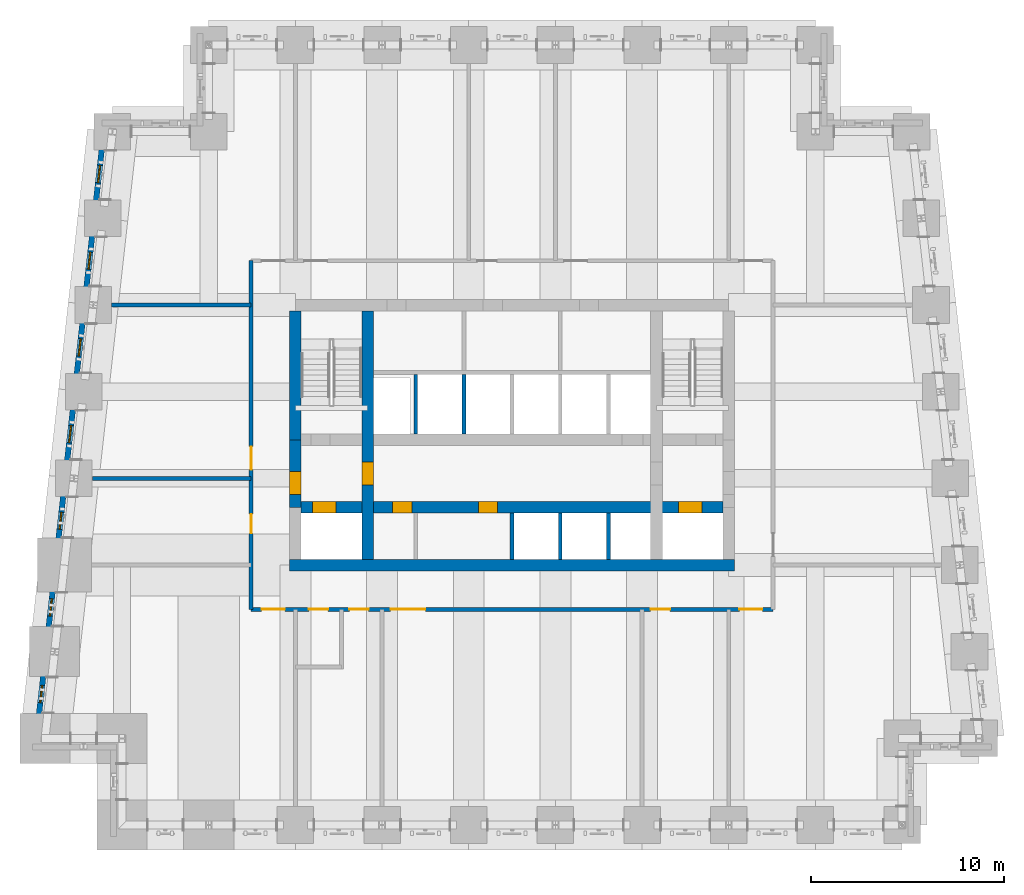
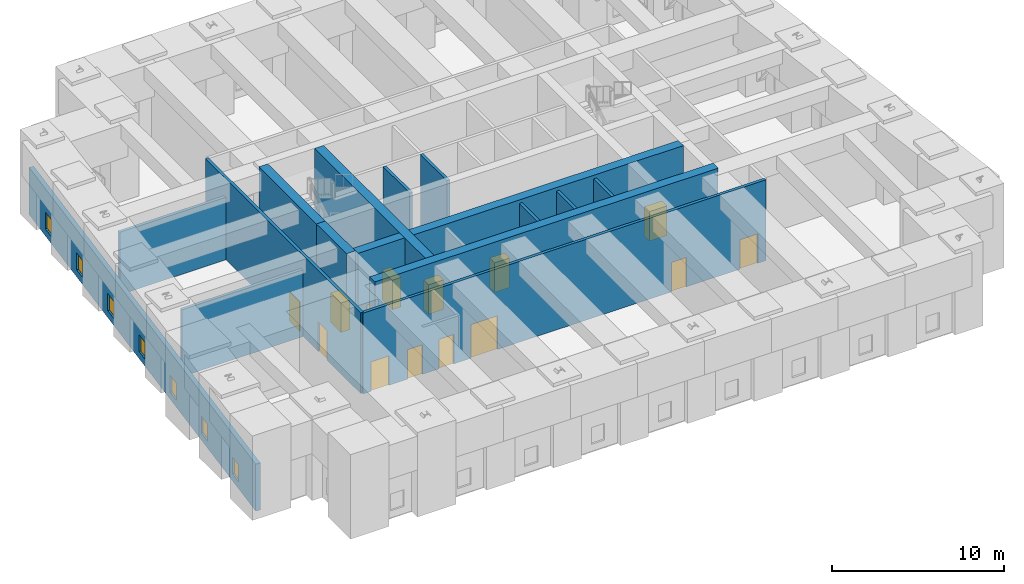
# One storey, part 3 of 17: 15 walls, 14 doors, 7 windows, 21 openings.
"""IFC4 building model written with IfcOpenShell, lengths in metres."""

from ifc_helpers import new_model, si_unit, direction, frame, frame_2d, origin, place, context, subcontext, project, spatial, rectangle, extrude, material, layer, layer_set, type_object, element, fill, save


model = new_model("IFC4")

# Units and contexts
model_context = context("Model", 3, precision=1e-05, world=origin(), true_north=direction((0.0, 1.0)))
body_context = subcontext(model_context, "Body", "Model", "MODEL_VIEW")
ifc_project = project(units=[si_unit("LENGTHUNIT", "METRE"), si_unit("AREAUNIT", "SQUARE_METRE"), si_unit("VOLUMEUNIT", "CUBIC_METRE"), si_unit("PLANEANGLEUNIT", "RADIAN"), si_unit("MASSUNIT", "GRAM", prefix="KILO")], contexts=[model_context])

# Site, building, storey
site_placement = place(None, origin())
site = spatial("IfcSite", under=ifc_project, at=site_placement, CompositionType="ELEMENT")
building_placement = place(site_placement, origin())
building = spatial("IfcBuilding", under=site, at=building_placement, Name="Kilele Tower Hotel", CompositionType="ELEMENT")
storey_placement = place(building_placement, frame((0.0, 0.0, 151.89990234375)))
storey = spatial("IfcBuildingStorey", under=building, at=storey_placement, Name="L39", CompositionType="ELEMENT", Elevation=151.89990234375)

# Wall
ifc_material_1 = material(Name="Concrete C60/75", Category="concrete")
ifc_layer_1 = layer(ifc_material_1, 0.60009765625)
ifc_layer_set_1 = layer_set([ifc_layer_1], Name="Concrete C60/75")
wall_type_1 = type_object("IfcWallType", Name="Core wall 600 C60/75", PredefinedType="SHEAR", material=ifc_layer_set_1)
wall_1_placement = place(storey_placement, frame((13.199951171875, 13.5, 0.0), z_axis=(0.0, 0.0, 1.0), x_axis=(1.0, 0.0, 0.0)))
element("IfcWall", 1, at=wall_1_placement, inside=storey, type_object=wall_type_1, Name="Core wall S L39", PredefinedType="SHEAR", context=body_context, shape_type="SweptSolid", body=[
    extrude(rectangle(XDim=23.10009765625, YDim=0.60009765625, at=frame_2d((11.550048828125, 0.0))), origin(), (0.0, 0.0, 1.0), 6.0),
])

# Wall, opening, door
wall_2_placement = place(storey_placement, frame((17.25, 13.800048828125, 0.0), z_axis=(0.0, 0.0, 1.0), x_axis=(0.0, 1.0, 0.0)))
wall_2 = element("IfcWall", 2, at=wall_2_placement, inside=storey, type_object=wall_type_1, Name="Core wall IW L39", PredefinedType="SHEAR", context=body_context, shape_type="SweptSolid", body=[
    extrude(rectangle(XDim=12.89990234375, YDim=0.60009765625, at=frame_2d((6.449951171875, 0.0))), origin(), (0.0, 0.0, 1.0), 6.0),
])
opening_1_placement = place(wall_2_placement, frame((3.85009765625, 0.0, 0.0)))
opening_1 = element("IfcOpeningElement", 3, at=opening_1_placement, cuts=wall_2, Name="Opening D4", PredefinedType="OPENING", context=body_context, shape_type="SweptSolid", body=[
    extrude(rectangle(XDim=1.199951171875, YDim=2.10009765625, at=frame_2d((0.60009765625, 1.050048828125))), frame((0.0, 0.31005859375, 0.0), z_axis=(0.0, -1.0, 0.0), x_axis=(1.0, 0.0, 0.0)), (0.0, 0.0, 1.0), 0.6201171875),
])
ifc_material_2 = material(Name="Timber door leaf in hardwood frame", Category="wood")
door_type_1 = type_object("IfcDoorType", Name="Firefighting lobby door 1200", OperationType="SINGLE_SWING_LEFT", PredefinedType="DOOR", material=ifc_material_2)
door_1_placement = place(opening_1_placement, origin())
door_1 = element("IfcDoor", 4, at=door_1_placement, inside=storey, type_object=door_type_1, Name="Lobby door L39", OperationType="SINGLE_SWING_LEFT", OverallHeight=2.10009765625, OverallWidth=1.199951171875, PredefinedType="DOOR", context=body_context, shape_type="SweptSolid", body=[
    extrude(rectangle(XDim=1.199951171875, YDim=2.10009765625, at=frame_2d((0.60009765625, 1.050048828125))), frame((0.0, 0.2998046875, 0.0), z_axis=(0.0, -1.0, 0.0), x_axis=(1.0, 0.0, 0.0)), (0.0, 0.0, 1.0), 0.599609375),
])
fill(opening_1, door_1)

# Wall, openings, doors
wall_3_placement = place(storey_placement, frame((13.800048828125, 16.5, 0.0), z_axis=(0.0, 0.0, 1.0), x_axis=(1.0, 0.0, 0.0)))
wall_3 = element("IfcWall", 5, at=wall_3_placement, inside=storey, type_object=wall_type_1, Name="Core wall LS L39", PredefinedType="SHEAR", context=body_context, shape_type="SweptSolid", body=[
    extrude(rectangle(XDim=21.89990234375, YDim=0.60009765625, at=frame_2d((10.949951171875, 0.0))), origin(), (0.0, 0.0, 1.0), 6.0),
])
opening_2_placement = place(wall_3_placement, frame((5.75, 0.0, 0.0), z_axis=(0.0, 0.0, 1.0), x_axis=(-1.0, 0.0, 0.0)))
opening_2 = element("IfcOpeningElement", 6, at=opening_2_placement, cuts=wall_3, Name="Opening D11", PredefinedType="OPENING", context=body_context, shape_type="SweptSolid", body=[
    extrude(rectangle(XDim=1.0, YDim=2.10009765625, at=frame_2d((0.5, 1.050048828125))), frame((0.0, 0.31005859375, 0.0), z_axis=(0.0, -1.0, 0.0), x_axis=(1.0, 0.0, 0.0)), (0.0, 0.0, 1.0), 0.6201171875),
])
opening_3_placement = place(wall_3_placement, frame((10.199951171875, 0.0, 0.0), z_axis=(0.0, 0.0, 1.0), x_axis=(-1.0, 0.0, 0.0)))
opening_3 = element("IfcOpeningElement", 7, at=opening_3_placement, cuts=wall_3, Name="Opening D11", PredefinedType="OPENING", context=body_context, shape_type="SweptSolid", body=[
    extrude(rectangle(XDim=1.0, YDim=2.10009765625, at=frame_2d((0.5, 1.050048828125))), frame((0.0, 0.31005859375, 0.0), z_axis=(0.0, -1.0, 0.0), x_axis=(1.0, 0.0, 0.0)), (0.0, 0.0, 1.0), 0.6201171875),
])
opening_4_placement = place(wall_3_placement, frame((0.60009765625, 0.0, 0.0)))
opening_4 = element("IfcOpeningElement", 8, at=opening_4_placement, cuts=wall_3, Name="Opening LD2", PredefinedType="OPENING", context=body_context, shape_type="SweptSolid", body=[
    extrude(rectangle(XDim=1.199951171875, YDim=2.10009765625, at=frame_2d((0.60009765625, 1.050048828125))), frame((0.0, 0.31005859375, 0.0), z_axis=(0.0, -1.0, 0.0), x_axis=(1.0, 0.0, 0.0)), (0.0, 0.0, 1.0), 0.6201171875),
])
opening_5_placement = place(wall_3_placement, frame((19.60009765625, 0.0, 0.0)))
opening_5 = element("IfcOpeningElement", 9, at=opening_5_placement, cuts=wall_3, Name="Opening LD2", PredefinedType="OPENING", context=body_context, shape_type="SweptSolid", body=[
    extrude(rectangle(XDim=1.199951171875, YDim=2.10009765625, at=frame_2d((0.60009765625, 1.050048828125))), frame((0.0, 0.31005859375, 0.0), z_axis=(0.0, -1.0, 0.0), x_axis=(1.0, 0.0, 0.0)), (0.0, 0.0, 1.0), 0.6201171875),
])
ifc_material_3 = material(Name="Timber door leaf in hardwood frame", Category="wood")
door_type_2 = type_object("IfcDoorType", Name="Core store door 1000", OperationType="SINGLE_SWING_LEFT", PredefinedType="DOOR", material=ifc_material_3)
door_2_placement = place(opening_2_placement, origin())
door_2 = element("IfcDoor", 10, at=door_2_placement, inside=storey, type_object=door_type_2, Name="Core room door L1 L39", OperationType="SINGLE_SWING_LEFT", OverallHeight=2.10009765625, OverallWidth=1.0, PredefinedType="DOOR", context=body_context, shape_type="SweptSolid", body=[
    extrude(rectangle(XDim=1.0, YDim=2.10009765625, at=frame_2d((0.5, 1.050048828125))), frame((0.0, 0.2998046875, 0.0), z_axis=(0.0, -1.0, 0.0), x_axis=(1.0, 0.0, 0.0)), (0.0, 0.0, 1.0), 0.599609375),
])
fill(opening_2, door_2)
door_3_placement = place(opening_3_placement, origin())
door_3 = element("IfcDoor", 11, at=door_3_placement, inside=storey, type_object=door_type_2, Name="Core room door L3 L39", OperationType="SINGLE_SWING_LEFT", OverallHeight=2.10009765625, OverallWidth=1.0, PredefinedType="DOOR", context=body_context, shape_type="SweptSolid", body=[
    extrude(rectangle(XDim=1.0, YDim=2.10009765625, at=frame_2d((0.5, 1.050048828125))), frame((0.0, 0.2998046875, 0.0), z_axis=(0.0, -1.0, 0.0), x_axis=(1.0, 0.0, 0.0)), (0.0, 0.0, 1.0), 0.599609375),
])
fill(opening_3, door_3)
ifc_material_4 = material(Name="Steel lift landing door", Category="steel")
door_type_3 = type_object("IfcDoorType", Name="Firefighting lift landing door 1200", OperationType="SLIDING_TO_LEFT", PredefinedType="DOOR", material=ifc_material_4)
door_4_placement = place(opening_4_placement, origin())
door_4 = element("IfcDoor", 12, at=door_4_placement, inside=storey, type_object=door_type_3, Name="Landing door FFW L39", OperationType="SLIDING_TO_LEFT", OverallHeight=2.10009765625, OverallWidth=1.199951171875, PredefinedType="DOOR", context=body_context, shape_type="SweptSolid", body=[
    extrude(rectangle(XDim=1.199951171875, YDim=2.10009765625, at=frame_2d((0.60009765625, 1.050048828125))), frame((0.0, 0.2998046875, 0.0), z_axis=(0.0, -1.0, 0.0), x_axis=(1.0, 0.0, 0.0)), (0.0, 0.0, 1.0), 0.599609375),
])
fill(opening_4, door_4)
door_5_placement = place(opening_5_placement, origin())
door_5 = element("IfcDoor", 13, at=door_5_placement, inside=storey, type_object=door_type_3, Name="Landing door FFE L39", OperationType="SLIDING_TO_LEFT", OverallHeight=2.10009765625, OverallWidth=1.199951171875, PredefinedType="DOOR", context=body_context, shape_type="SweptSolid", body=[
    extrude(rectangle(XDim=1.199951171875, YDim=2.10009765625, at=frame_2d((0.60009765625, 1.050048828125))), frame((0.0, 0.2998046875, 0.0), z_axis=(0.0, -1.0, 0.0), x_axis=(1.0, 0.0, 0.0)), (0.0, 0.0, 1.0), 0.599609375),
])
fill(opening_5, door_5)

# Wall
wall_4_placement = place(storey_placement, frame((13.5, 26.699951171875, 0.0), z_axis=(0.0, 0.0, 1.0), x_axis=(0.0, -1.0, 0.0)))
element("IfcWall", 14, at=wall_4_placement, inside=storey, type_object=wall_type_1, Name="Core wall W1 L39", PredefinedType="SHEAR", context=body_context, shape_type="SweptSolid", body=[
    extrude(rectangle(XDim=6.699951171875, YDim=0.60009765625, at=frame_2d((3.35009765625, 0.0))), origin(), (0.0, 0.0, 1.0), 6.0),
])

# Wall, opening, door
wall_5_placement = place(storey_placement, frame((13.5, 20.0, 0.0), z_axis=(0.0, 0.0, 1.0), x_axis=(0.0, -1.0, 0.0)))
wall_5 = element("IfcWall", 15, at=wall_5_placement, inside=storey, type_object=wall_type_1, Name="Core wall W2 L39", PredefinedType="SHEAR", context=body_context, shape_type="SweptSolid", body=[
    extrude(rectangle(XDim=3.5, YDim=0.60009765625, at=frame_2d((1.75, 0.0))), origin(), (0.0, 0.0, 1.0), 6.0),
])
opening_6_placement = place(wall_5_placement, frame((1.64990234375, 0.0, 0.0)))
opening_6 = element("IfcOpeningElement", 16, at=opening_6_placement, cuts=wall_5, Name="Opening D4", PredefinedType="OPENING", context=body_context, shape_type="SweptSolid", body=[
    extrude(rectangle(XDim=1.199951171875, YDim=2.10009765625, at=frame_2d((0.60009765625, 1.050048828125))), frame((0.0, 0.31005859375, 0.0), z_axis=(0.0, -1.0, 0.0), x_axis=(1.0, 0.0, 0.0)), (0.0, 0.0, 1.0), 0.6201171875),
])
door_6_placement = place(opening_6_placement, origin())
door_6 = element("IfcDoor", 17, at=door_6_placement, inside=storey, type_object=door_type_1, Name="Lobby door L39", OperationType="SINGLE_SWING_RIGHT", OverallHeight=2.10009765625, OverallWidth=1.199951171875, PredefinedType="DOOR", context=body_context, shape_type="SweptSolid", body=[
    extrude(rectangle(XDim=1.199951171875, YDim=2.10009765625, at=frame_2d((0.60009765625, 1.050048828125))), frame((0.0, 0.2998046875, 0.0), z_axis=(0.0, -1.0, 0.0), x_axis=(1.0, 0.0, 0.0)), (0.0, 0.0, 1.0), 0.599609375),
])
fill(opening_6, door_6)

# Wall, openings, doors
ifc_material_5 = material(Name="Blockwork, plastered both sides", Category="masonry")
ifc_layer_2 = layer(ifc_material_5, 0.199951171875)
ifc_layer_set_2 = layer_set([ifc_layer_2], Name="Blockwork, plastered both sides")
wall_type_2 = type_object("IfcWallType", Name="Corridor wall 200", PredefinedType="PARTITIONING", material=ifc_layer_set_2)
wall_6_placement = place(storey_placement, frame((11.199951171875, 11.199951171875, 0.0), z_axis=(0.0, 0.0, 1.0), x_axis=(1.0, 0.0, 0.0)))
wall_6 = element("IfcWall", 18, at=wall_6_placement, inside=storey, type_object=wall_type_2, Name="Corridor wall 200 L39", PredefinedType="PARTITIONING", context=body_context, shape_type="SweptSolid", body=[
    extrude(rectangle(XDim=27.10009765625, YDim=0.199951171875, at=frame_2d((13.550048828125, 0.0))), origin(), (0.0, 0.0, 1.0), 5.75),
])
opening_7_placement = place(wall_6_placement, frame((4.0, 0.0, 0.0), z_axis=(0.0, 0.0, 1.0), x_axis=(-1.0, 0.0, 0.0)))
opening_7 = element("IfcOpeningElement", 19, at=opening_7_placement, cuts=wall_6, Name="Opening D8", PredefinedType="OPENING", context=body_context, shape_type="SweptSolid", body=[
    extrude(rectangle(XDim=1.0, YDim=2.10009765625, at=frame_2d((0.5, 1.050048828125))), frame((0.0, 0.10986328125, 0.0), z_axis=(0.0, -1.0, 0.0), x_axis=(1.0, 0.0, 0.0)), (0.0, 0.0, 1.0), 0.219970703125),
])
opening_8_placement = place(wall_6_placement, frame((6.10009765625, 0.0, 0.0), z_axis=(0.0, 0.0, 1.0), x_axis=(-1.0, 0.0, 0.0)))
opening_8 = element("IfcOpeningElement", 20, at=opening_8_placement, cuts=wall_6, Name="Opening D7", PredefinedType="OPENING", context=body_context, shape_type="SweptSolid", body=[
    extrude(rectangle(XDim=1.0, YDim=2.10009765625, at=frame_2d((0.5, 1.050048828125))), frame((0.0, 0.10986328125, 0.0), z_axis=(0.0, -1.0, 0.0), x_axis=(1.0, 0.0, 0.0)), (0.0, 0.0, 1.0), 0.219970703125),
])
opening_9_placement = place(wall_6_placement, frame((9.050048828125, 0.0, 0.0), z_axis=(0.0, 0.0, 1.0), x_axis=(-1.0, 0.0, 0.0)))
opening_9 = element("IfcOpeningElement", 21, at=opening_9_placement, cuts=wall_6, Name="Opening D9", PredefinedType="OPENING", context=body_context, shape_type="SweptSolid", body=[
    extrude(rectangle(XDim=1.800048828125, YDim=2.39990234375, at=frame_2d((0.89990234375, 1.199951171875))), frame((0.0, 0.10986328125, 0.0), z_axis=(0.0, -1.0, 0.0), x_axis=(1.0, 0.0, 0.0)), (0.0, 0.0, 1.0), 0.219970703125),
])
opening_10_placement = place(wall_6_placement, frame((21.75, 0.0, 0.0), z_axis=(0.0, 0.0, 1.0), x_axis=(-1.0, 0.0, 0.0)))
opening_10 = element("IfcOpeningElement", 22, at=opening_10_placement, cuts=wall_6, Name="Opening D7", PredefinedType="OPENING", context=body_context, shape_type="SweptSolid", body=[
    extrude(rectangle(XDim=1.0, YDim=2.10009765625, at=frame_2d((0.5, 1.050048828125))), frame((0.0, 0.10986328125, 0.0), z_axis=(0.0, -1.0, 0.0), x_axis=(1.0, 0.0, 0.0)), (0.0, 0.0, 1.0), 0.219970703125),
])
opening_11_placement = place(wall_6_placement, frame((1.75, 0.0, 0.0), z_axis=(0.0, 0.0, 1.0), x_axis=(-1.0, 0.0, 0.0)))
opening_11 = element("IfcOpeningElement", 23, at=opening_11_placement, cuts=wall_6, Name="Opening D7A", PredefinedType="OPENING", context=body_context, shape_type="SweptSolid", body=[
    extrude(rectangle(XDim=1.199951171875, YDim=2.10009765625, at=frame_2d((0.60009765625, 1.050048828125))), frame((0.0, 0.10986328125, 0.0), z_axis=(0.0, -1.0, 0.0), x_axis=(1.0, 0.0, 0.0)), (0.0, 0.0, 1.0), 0.219970703125),
])
opening_12_placement = place(wall_6_placement, frame((26.550048828125, 0.0, 0.0), z_axis=(0.0, 0.0, 1.0), x_axis=(-1.0, 0.0, 0.0)))
opening_12 = element("IfcOpeningElement", 24, at=opening_12_placement, cuts=wall_6, Name="Opening D7A", PredefinedType="OPENING", context=body_context, shape_type="SweptSolid", body=[
    extrude(rectangle(XDim=1.199951171875, YDim=2.10009765625, at=frame_2d((0.60009765625, 1.050048828125))), frame((0.0, 0.10986328125, 0.0), z_axis=(0.0, -1.0, 0.0), x_axis=(1.0, 0.0, 0.0)), (0.0, 0.0, 1.0), 0.219970703125),
])
ifc_material_6 = material(Name="Timber door leaf in hardwood frame", Category="wood")
door_type_4 = type_object("IfcDoorType", Name="Door 1000", OperationType="SINGLE_SWING_LEFT", PredefinedType="DOOR", material=ifc_material_6)
door_7_placement = place(opening_7_placement, origin())
door_7 = element("IfcDoor", 25, at=door_7_placement, inside=storey, type_object=door_type_4, Name="Door Accessible WC 3901", OperationType="SINGLE_SWING_RIGHT", OverallHeight=2.10009765625, OverallWidth=1.0, PredefinedType="DOOR", context=body_context, shape_type="SweptSolid", body=[
    extrude(rectangle(XDim=1.0, YDim=2.10009765625, at=frame_2d((0.5, 1.050048828125))), frame((0.0, 0.02490234375, 0.0), z_axis=(0.0, -1.0, 0.0), x_axis=(1.0, 0.0, 0.0)), (0.0, 0.0, 1.0), 0.050048828125),
])
fill(opening_7, door_7)
ifc_material_7 = material(Name="Timber door leaf in hardwood frame", Category="wood")
door_type_5 = type_object("IfcDoorType", Name="Double door 1800", OperationType="DOUBLE_DOOR_SINGLE_SWING", PredefinedType="DOOR", material=ifc_material_7)
door_8_placement = place(opening_9_placement, origin())
door_8 = element("IfcDoor", 26, at=door_8_placement, inside=storey, type_object=door_type_5, Name="Door Refuge area 3903", OperationType="DOUBLE_DOOR_SINGLE_SWING", OverallHeight=2.39990234375, OverallWidth=1.800048828125, PredefinedType="DOOR", context=body_context, shape_type="SweptSolid", body=[
    extrude(rectangle(XDim=1.800048828125, YDim=2.39990234375, at=frame_2d((0.89990234375, 1.199951171875))), frame((0.0, 0.02490234375, 0.0), z_axis=(0.0, -1.0, 0.0), x_axis=(1.0, 0.0, 0.0)), (0.0, 0.0, 1.0), 0.050048828125),
])
fill(opening_9, door_8)
ifc_material_8 = material(Name="Timber door leaf in hardwood frame", Category="wood")
door_type_6 = type_object("IfcDoorType", Name="Plant room door 1000", OperationType="SINGLE_SWING_LEFT", PredefinedType="DOOR", material=ifc_material_8)
door_9_placement = place(opening_8_placement, origin())
door_9 = element("IfcDoor", 27, at=door_9_placement, inside=storey, type_object=door_type_6, Name="Door Plant control room 3902", OperationType="SINGLE_SWING_RIGHT", OverallHeight=2.10009765625, OverallWidth=1.0, PredefinedType="DOOR", context=body_context, shape_type="SweptSolid", body=[
    extrude(rectangle(XDim=1.0, YDim=2.10009765625, at=frame_2d((0.5, 1.050048828125))), frame((0.0, 0.02490234375, 0.0), z_axis=(0.0, -1.0, 0.0), x_axis=(1.0, 0.0, 0.0)), (0.0, 0.0, 1.0), 0.050048828125),
])
fill(opening_8, door_9)
door_10_placement = place(opening_10_placement, origin())
door_10 = element("IfcDoor", 28, at=door_10_placement, inside=storey, type_object=door_type_6, Name="Door Mid-zone electrical switch room 3904", OperationType="SINGLE_SWING_RIGHT", OverallHeight=2.10009765625, OverallWidth=1.0, PredefinedType="DOOR", context=body_context, shape_type="SweptSolid", body=[
    extrude(rectangle(XDim=1.0, YDim=2.10009765625, at=frame_2d((0.5, 1.050048828125))), frame((0.0, 0.02490234375, 0.0), z_axis=(0.0, -1.0, 0.0), x_axis=(1.0, 0.0, 0.0)), (0.0, 0.0, 1.0), 0.050048828125),
])
fill(opening_10, door_10)
ifc_material_9 = material(Name="Timber door leaf in hardwood frame", Category="wood")
door_type_7 = type_object("IfcDoorType", Name="Plant room door 1200", OperationType="SINGLE_SWING_LEFT", PredefinedType="DOOR", material=ifc_material_9)
door_11_placement = place(opening_11_placement, origin())
door_11 = element("IfcDoor", 29, at=door_11_placement, inside=storey, type_object=door_type_7, Name="Door Mid-zone transformer room 3911", OperationType="SINGLE_SWING_LEFT", OverallHeight=2.10009765625, OverallWidth=1.199951171875, PredefinedType="DOOR", context=body_context, shape_type="SweptSolid", body=[
    extrude(rectangle(XDim=1.199951171875, YDim=2.10009765625, at=frame_2d((0.60009765625, 1.050048828125))), frame((0.0, 0.02490234375, 0.0), z_axis=(0.0, -1.0, 0.0), x_axis=(1.0, 0.0, 0.0)), (0.0, 0.0, 1.0), 0.050048828125),
])
fill(opening_11, door_11)
door_12_placement = place(opening_12_placement, origin())
door_12 = element("IfcDoor", 30, at=door_12_placement, inside=storey, type_object=door_type_7, Name="Door Mid-zone sprinkler zone valve room 3912", OperationType="SINGLE_SWING_RIGHT", OverallHeight=2.10009765625, OverallWidth=1.199951171875, PredefinedType="DOOR", context=body_context, shape_type="SweptSolid", body=[
    extrude(rectangle(XDim=1.199951171875, YDim=2.10009765625, at=frame_2d((0.60009765625, 1.050048828125))), frame((0.0, 0.02490234375, 0.0), z_axis=(0.0, -1.0, 0.0), x_axis=(1.0, 0.0, 0.0)), (0.0, 0.0, 1.0), 0.050048828125),
])
fill(opening_12, door_12)

wall_7_placement = place(storey_placement, frame((11.199951171875, 11.199951171875, 0.0), z_axis=(0.0, 0.0, 1.0), x_axis=(0.0, 1.0, 0.0)))
wall_7 = element("IfcWall", 31, at=wall_7_placement, inside=storey, type_object=wall_type_2, Name="Corridor wall 200 L39", PredefinedType="PARTITIONING", context=body_context, shape_type="SweptSolid", body=[
    extrude(rectangle(XDim=18.10009765625, YDim=0.199951171875, at=frame_2d((9.050048828125, 0.0))), origin(), (0.0, 0.0, 1.0), 5.75),
])
opening_13_placement = place(wall_7_placement, frame((3.949951171875, 0.0, 0.0)))
opening_13 = element("IfcOpeningElement", 32, at=opening_13_placement, cuts=wall_7, Name="Opening D7", PredefinedType="OPENING", context=body_context, shape_type="SweptSolid", body=[
    extrude(rectangle(XDim=1.0, YDim=2.10009765625, at=frame_2d((0.5, 1.050048828125))), frame((0.0, 0.10986328125, 0.0), z_axis=(0.0, -1.0, 0.0), x_axis=(1.0, 0.0, 0.0)), (0.0, 0.0, 1.0), 0.219970703125),
])
opening_14_placement = place(wall_7_placement, frame((7.25, 0.0, 0.0)))
opening_14 = element("IfcOpeningElement", 33, at=opening_14_placement, cuts=wall_7, Name="Opening D7A", PredefinedType="OPENING", context=body_context, shape_type="SweptSolid", body=[
    extrude(rectangle(XDim=1.199951171875, YDim=2.10009765625, at=frame_2d((0.60009765625, 1.050048828125))), frame((0.0, 0.10986328125, 0.0), z_axis=(0.0, -1.0, 0.0), x_axis=(1.0, 0.0, 0.0)), (0.0, 0.0, 1.0), 0.219970703125),
])
door_13_placement = place(opening_13_placement, origin())
door_13 = element("IfcDoor", 34, at=door_13_placement, inside=storey, type_object=door_type_6, Name="Door Stair pressurisation fan room 3909", OperationType="SINGLE_SWING_LEFT", OverallHeight=2.10009765625, OverallWidth=1.0, PredefinedType="DOOR", context=body_context, shape_type="SweptSolid", body=[
    extrude(rectangle(XDim=1.0, YDim=2.10009765625, at=frame_2d((0.5, 1.050048828125))), frame((0.0, 0.02490234375, 0.0), z_axis=(0.0, -1.0, 0.0), x_axis=(1.0, 0.0, 0.0)), (0.0, 0.0, 1.0), 0.050048828125),
])
fill(opening_13, door_13)
door_14_placement = place(opening_14_placement, origin())
door_14 = element("IfcDoor", 35, at=door_14_placement, inside=storey, type_object=door_type_7, Name="Door Spa pool filtration plant room 3910", OperationType="SINGLE_SWING_LEFT", OverallHeight=2.10009765625, OverallWidth=1.199951171875, PredefinedType="DOOR", context=body_context, shape_type="SweptSolid", body=[
    extrude(rectangle(XDim=1.199951171875, YDim=2.10009765625, at=frame_2d((0.60009765625, 1.050048828125))), frame((0.0, 0.02490234375, 0.0), z_axis=(0.0, -1.0, 0.0), x_axis=(1.0, 0.0, 0.0)), (0.0, 0.0, 1.0), 0.050048828125),
])
fill(opening_14, door_14)

# Walls
ifc_material_10 = material(Name="Blockwork, plastered both sides", Category="masonry")
ifc_layer_3 = layer(ifc_material_10, 0.199951171875)
ifc_layer_set_3 = layer_set([ifc_layer_3], Name="Blockwork, plastered both sides")
wall_type_3 = type_object("IfcWallType", Name="Partition wall 200", PredefinedType="PARTITIONING", material=ifc_layer_set_3)
wall_8_placement = place(storey_placement, frame((11.199951171875, 18.0, 0.0), z_axis=(0.0, 0.0, 1.0), x_axis=(-1.0, 0.0, 0.0)))
element("IfcWall", 36, at=wall_8_placement, inside=storey, type_object=wall_type_3, Name="Partition wall 200 L39", PredefinedType="PARTITIONING", context=body_context, shape_type="SweptSolid", body=[
    extrude(rectangle(XDim=8.239013671875, YDim=0.199951171875, at=frame_2d((4.11962890625, 0.0))), origin(), (0.0, 0.0, 1.0), 4.75),
])
wall_9_placement = place(storey_placement, frame((11.199951171875, 27.0, 0.0), z_axis=(0.0, 0.0, 1.0), x_axis=(-1.0, 0.0, 0.0)))
element("IfcWall", 37, at=wall_9_placement, inside=storey, type_object=wall_type_3, Name="Partition wall 200 L39", PredefinedType="PARTITIONING", context=body_context, shape_type="SweptSolid", body=[
    extrude(rectangle(XDim=7.239013671875, YDim=0.199951171875, at=frame_2d((3.61962890625, 0.0))), origin(), (0.0, 0.0, 1.0), 4.4501953125),
])

# Wall, openings, windows
ifc_material_11 = material(Name="Concrete C40/50 precast", Category="concrete")
ifc_layer_4 = layer(ifc_material_11, 0.260009765625, Name="Precast backing", Category="LoadBearing")
ifc_material_12 = material(Name="Reconstituted stone finish", Category="masonry")
ifc_layer_5 = layer(ifc_material_12, 0.0400390625, Name="Face mix", Category="Finish")
ifc_layer_set_4 = layer_set([ifc_layer_4, ifc_layer_5], Name="Precast concrete C40/50, reconstituted stone finish")
wall_type_4 = type_object("IfcWallType", Name="Precast stone facade wall 300", PredefinedType="STANDARD", material=ifc_layer_set_4)
wall_10_placement = place(storey_placement, frame((3.61376953125, 36.59912109375, 0.0), z_axis=(0.0, 0.0, 1.0), x_axis=(-0.110429082637, -0.993884006164, 0.0)))
wall_10 = element("IfcWall", 38, at=wall_10_placement, inside=storey, type_object=wall_type_4, Name="Facade wall L39 edge 12", PredefinedType="STANDARD", context=body_context, shape_type="SweptSolid", body=[
    extrude(rectangle(XDim=32.8994140625, YDim=0.300048828125, at=frame_2d((16.44970703125, 0.0))), origin(), (0.0, 0.0, 1.0), 3.35009765625),
])
opening_15_placement = place(wall_10_placement, frame((2.36669921875, 0.0, 0.5)))
opening_15 = element("IfcOpeningElement", 39, at=opening_15_placement, cuts=wall_10, Name="Opening LV1", PredefinedType="OPENING", context=body_context, shape_type="SweptSolid", body=[
    extrude(rectangle(XDim=0.89990234375, YDim=1.199951171875, at=frame_2d((0.449951171875, 0.60009765625))), frame((0.0, 0.159912109375, 0.0), z_axis=(0.0, -1.0, 0.0), x_axis=(1.0, 0.0, 0.0)), (0.0, 0.0, 1.0), 0.320068359375),
])
opening_16_placement = place(wall_10_placement, frame((6.894775390625, 0.0, 0.5)))
opening_16 = element("IfcOpeningElement", 40, at=opening_16_placement, cuts=wall_10, Name="Opening LV1", PredefinedType="OPENING", context=body_context, shape_type="SweptSolid", body=[
    extrude(rectangle(XDim=0.89990234375, YDim=1.199951171875, at=frame_2d((0.449951171875, 0.60009765625))), frame((0.0, 0.159912109375, 0.0), z_axis=(0.0, -1.0, 0.0), x_axis=(1.0, 0.0, 0.0)), (0.0, 0.0, 1.0), 0.320068359375),
])
opening_17_placement = place(wall_10_placement, frame((11.421875, 0.0, 0.5)))
opening_17 = element("IfcOpeningElement", 41, at=opening_17_placement, cuts=wall_10, Name="Opening LV1", PredefinedType="OPENING", context=body_context, shape_type="SweptSolid", body=[
    extrude(rectangle(XDim=0.89990234375, YDim=1.199951171875, at=frame_2d((0.449951171875, 0.60009765625))), frame((0.0, 0.159912109375, 0.0), z_axis=(0.0, -1.0, 0.0), x_axis=(1.0, 0.0, 0.0)), (0.0, 0.0, 1.0), 0.320068359375),
])
opening_18_placement = place(wall_10_placement, frame((15.94970703125, 0.0, 0.5)))
opening_18 = element("IfcOpeningElement", 42, at=opening_18_placement, cuts=wall_10, Name="Opening LV1", PredefinedType="OPENING", context=body_context, shape_type="SweptSolid", body=[
    extrude(rectangle(XDim=0.89990234375, YDim=1.199951171875, at=frame_2d((0.449951171875, 0.60009765625))), frame((0.0, 0.159912109375, 0.0), z_axis=(0.0, -1.0, 0.0), x_axis=(1.0, 0.0, 0.0)), (0.0, 0.0, 1.0), 0.320068359375),
])
opening_19_placement = place(wall_10_placement, frame((20.477783203125, 0.0, 0.5)))
opening_19 = element("IfcOpeningElement", 43, at=opening_19_placement, cuts=wall_10, Name="Opening LV1", PredefinedType="OPENING", context=body_context, shape_type="SweptSolid", body=[
    extrude(rectangle(XDim=0.89990234375, YDim=1.199951171875, at=frame_2d((0.449951171875, 0.60009765625))), frame((0.0, 0.159912109375, 0.0), z_axis=(0.0, -1.0, 0.0), x_axis=(1.0, 0.0, 0.0)), (0.0, 0.0, 1.0), 0.320068359375),
])
opening_20_placement = place(wall_10_placement, frame((25.0048828125, 0.0, 0.5)))
opening_20 = element("IfcOpeningElement", 44, at=opening_20_placement, cuts=wall_10, Name="Opening LV1", PredefinedType="OPENING", context=body_context, shape_type="SweptSolid", body=[
    extrude(rectangle(XDim=0.89990234375, YDim=1.199951171875, at=frame_2d((0.449951171875, 0.60009765625))), frame((0.0, 0.159912109375, 0.0), z_axis=(0.0, -1.0, 0.0), x_axis=(1.0, 0.0, 0.0)), (0.0, 0.0, 1.0), 0.320068359375),
])
opening_21_placement = place(wall_10_placement, frame((29.53271484375, 0.0, 0.5)))
opening_21 = element("IfcOpeningElement", 45, at=opening_21_placement, cuts=wall_10, Name="Opening LV1", PredefinedType="OPENING", context=body_context, shape_type="SweptSolid", body=[
    extrude(rectangle(XDim=0.89990234375, YDim=1.199951171875, at=frame_2d((0.449951171875, 0.60009765625))), frame((0.0, 0.159912109375, 0.0), z_axis=(0.0, -1.0, 0.0), x_axis=(1.0, 0.0, 0.0)), (0.0, 0.0, 1.0), 0.320068359375),
])
ifc_material_13 = material(Name="Aluminium weather louvre with insect mesh", Category="aluminium")
window_type = type_object("IfcWindowType", Name="Ventilation louvre 900 x 1200", PartitioningType="SINGLE_PANEL", PredefinedType="USERDEFINED", material=ifc_material_13)
window_1_placement = place(opening_15_placement, origin())
window_1 = element("IfcWindow", 46, at=window_1_placement, inside=storey, type_object=window_type, Name="Louvre L39", ObjectType="LOUVRE", OverallHeight=1.199951171875, OverallWidth=0.89990234375, PartitioningType="SINGLE_PANEL", PredefinedType="USERDEFINED", context=body_context, shape_type="SweptSolid", body=[
    extrude(rectangle(XDim=0.89990234375, YDim=1.199951171875, at=frame_2d((0.449951171875, 0.60009765625))), frame((0.0, 0.030029296875, 0.0), z_axis=(0.0, -1.0, 0.0), x_axis=(1.0, 0.0, 0.0)), (0.0, 0.0, 1.0), 0.06005859375),
])
fill(opening_15, window_1)
window_2_placement = place(opening_16_placement, origin())
window_2 = element("IfcWindow", 47, at=window_2_placement, inside=storey, type_object=window_type, Name="Louvre L39", ObjectType="LOUVRE", OverallHeight=1.199951171875, OverallWidth=0.89990234375, PartitioningType="SINGLE_PANEL", PredefinedType="USERDEFINED", context=body_context, shape_type="SweptSolid", body=[
    extrude(rectangle(XDim=0.89990234375, YDim=1.199951171875, at=frame_2d((0.449951171875, 0.60009765625))), frame((0.0, 0.030029296875, 0.0), z_axis=(0.0, -1.0, 0.0), x_axis=(1.0, 0.0, 0.0)), (0.0, 0.0, 1.0), 0.06005859375),
])
fill(opening_16, window_2)
window_3_placement = place(opening_17_placement, origin())
window_3 = element("IfcWindow", 48, at=window_3_placement, inside=storey, type_object=window_type, Name="Louvre L39", ObjectType="LOUVRE", OverallHeight=1.199951171875, OverallWidth=0.89990234375, PartitioningType="SINGLE_PANEL", PredefinedType="USERDEFINED", context=body_context, shape_type="SweptSolid", body=[
    extrude(rectangle(XDim=0.89990234375, YDim=1.199951171875, at=frame_2d((0.449951171875, 0.60009765625))), frame((0.0, 0.030029296875, 0.0), z_axis=(0.0, -1.0, 0.0), x_axis=(1.0, 0.0, 0.0)), (0.0, 0.0, 1.0), 0.06005859375),
])
fill(opening_17, window_3)
window_4_placement = place(opening_18_placement, origin())
window_4 = element("IfcWindow", 49, at=window_4_placement, inside=storey, type_object=window_type, Name="Louvre L39", ObjectType="LOUVRE", OverallHeight=1.199951171875, OverallWidth=0.89990234375, PartitioningType="SINGLE_PANEL", PredefinedType="USERDEFINED", context=body_context, shape_type="SweptSolid", body=[
    extrude(rectangle(XDim=0.89990234375, YDim=1.199951171875, at=frame_2d((0.449951171875, 0.60009765625))), frame((0.0, 0.030029296875, 0.0), z_axis=(0.0, -1.0, 0.0), x_axis=(1.0, 0.0, 0.0)), (0.0, 0.0, 1.0), 0.06005859375),
])
fill(opening_18, window_4)
window_5_placement = place(opening_19_placement, origin())
window_5 = element("IfcWindow", 50, at=window_5_placement, inside=storey, type_object=window_type, Name="Louvre L39", ObjectType="LOUVRE", OverallHeight=1.199951171875, OverallWidth=0.89990234375, PartitioningType="SINGLE_PANEL", PredefinedType="USERDEFINED", context=body_context, shape_type="SweptSolid", body=[
    extrude(rectangle(XDim=0.89990234375, YDim=1.199951171875, at=frame_2d((0.449951171875, 0.60009765625))), frame((0.0, 0.030029296875, 0.0), z_axis=(0.0, -1.0, 0.0), x_axis=(1.0, 0.0, 0.0)), (0.0, 0.0, 1.0), 0.06005859375),
])
fill(opening_19, window_5)
window_6_placement = place(opening_20_placement, origin())
window_6 = element("IfcWindow", 51, at=window_6_placement, inside=storey, type_object=window_type, Name="Louvre L39", ObjectType="LOUVRE", OverallHeight=1.199951171875, OverallWidth=0.89990234375, PartitioningType="SINGLE_PANEL", PredefinedType="USERDEFINED", context=body_context, shape_type="SweptSolid", body=[
    extrude(rectangle(XDim=0.89990234375, YDim=1.199951171875, at=frame_2d((0.449951171875, 0.60009765625))), frame((0.0, 0.030029296875, 0.0), z_axis=(0.0, -1.0, 0.0), x_axis=(1.0, 0.0, 0.0)), (0.0, 0.0, 1.0), 0.06005859375),
])
fill(opening_20, window_6)
window_7_placement = place(opening_21_placement, origin())
window_7 = element("IfcWindow", 52, at=window_7_placement, inside=storey, type_object=window_type, Name="Louvre L39", ObjectType="LOUVRE", OverallHeight=1.199951171875, OverallWidth=0.89990234375, PartitioningType="SINGLE_PANEL", PredefinedType="USERDEFINED", context=body_context, shape_type="SweptSolid", body=[
    extrude(rectangle(XDim=0.89990234375, YDim=1.199951171875, at=frame_2d((0.449951171875, 0.60009765625))), frame((0.0, 0.030029296875, 0.0), z_axis=(0.0, -1.0, 0.0), x_axis=(1.0, 0.0, 0.0)), (0.0, 0.0, 1.0), 0.06005859375),
])
fill(opening_21, window_7)

# Walls
ifc_material_14 = material(Name="Blockwork, fire-rated", Category="masonry")
ifc_layer_6 = layer(ifc_material_14, 0.199951171875)
ifc_layer_set_5 = layer_set([ifc_layer_6], Name="Blockwork, fire-rated")
wall_type_5 = type_object("IfcWallType", Name="Shaft wall 200", PredefinedType="PARTITIONING", material=ifc_layer_set_5)
for number, where, z_axis, x_axis, name in (
    (53, (19.75, 20.300048828125, 0.0), (0.0, 0.0, 1.0), (0.0, 1.0, 0.0), "Shaft wall 200 L39"),
    (54, (22.25, 20.300048828125, 0.0), (0.0, 0.0, 1.0), (0.0, 1.0, 0.0), "Shaft wall 200 L39"),
):
    element("IfcWall", number, at=place(storey_placement, frame(where, z_axis=z_axis, x_axis=x_axis)), inside=storey, type_object=wall_type_5, Name=name, PredefinedType="PARTITIONING", context=body_context, shape_type="SweptSolid", body=[
        extrude(rectangle(XDim=3.099853515625, YDim=0.199951171875, at=frame_2d((1.5498046875, 0.0))), origin(), (0.0, 0.0, 1.0), 5.75),
    ])
for number, where, z_axis, x_axis, name in (
    (55, (24.75, 13.800048828125, 0.0), (0.0, 0.0, 1.0), (0.0, 1.0, 0.0), "Shaft wall 200 L39"),
    (56, (27.25, 13.800048828125, 0.0), (0.0, 0.0, 1.0), (0.0, 1.0, 0.0), "Shaft wall 200 L39"),
    (57, (29.75, 13.800048828125, 0.0), (0.0, 0.0, 1.0), (0.0, 1.0, 0.0), "Shaft wall 200 L39"),
):
    element("IfcWall", number, at=place(storey_placement, frame(where, z_axis=z_axis, x_axis=x_axis)), inside=storey, type_object=wall_type_5, Name=name, PredefinedType="PARTITIONING", context=body_context, shape_type="SweptSolid", body=[
        extrude(rectangle(XDim=2.39990234375, YDim=0.199951171875, at=frame_2d((1.199951171875, 0.0))), origin(), (0.0, 0.0, 1.0), 5.75),
    ])

save(model, "model.ifc")
